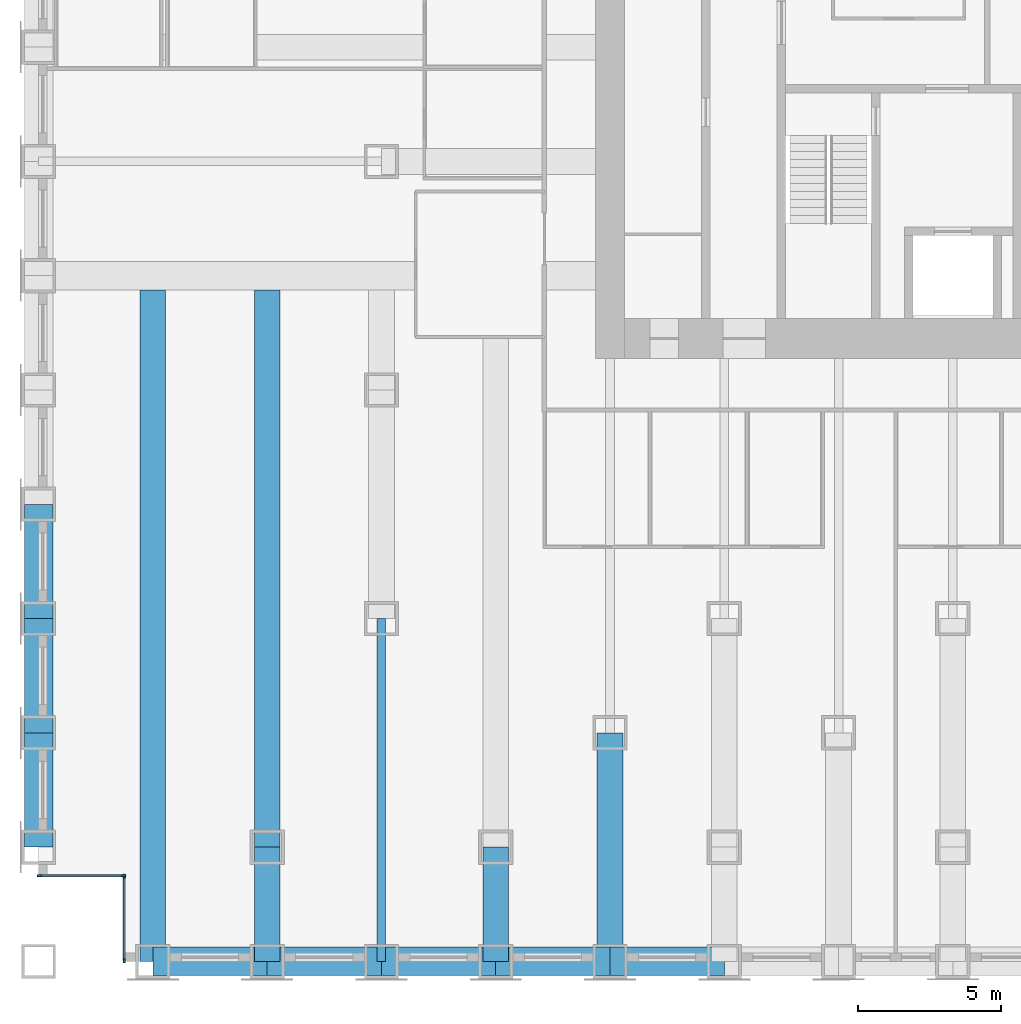
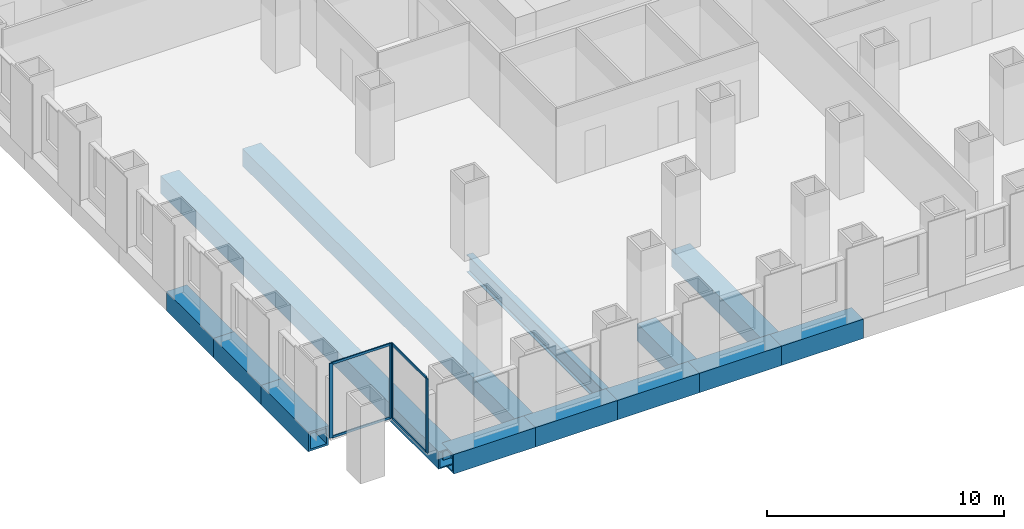
# One storey, part 2 of 15: 14 beams, 8 members, 2 elements without a shape of their own.
"""IFC4 building model written with IfcOpenShell, lengths in metres."""

from ifc_helpers import new_model, si_unit, direction, frame, origin, origin_2d, place, context, subcontext, project, spatial, rectangle, hollow_rectangle, i_section, extrude, material, material_profile, profile_set, type_object, element, aggregate, save


model = new_model("IFC4")

# Units and contexts
model_context = context("Model", 3, precision=1e-05, world=origin(), true_north=direction((0.0, 1.0)))
body_context = subcontext(model_context, "Body", "Model", "MODEL_VIEW")
ifc_project = project(units=[si_unit("LENGTHUNIT", "METRE"), si_unit("AREAUNIT", "SQUARE_METRE"), si_unit("VOLUMEUNIT", "CUBIC_METRE"), si_unit("PLANEANGLEUNIT", "RADIAN"), si_unit("MASSUNIT", "GRAM", prefix="KILO")], contexts=[model_context])

# Site, building, storey
site_placement = place(None, origin())
site = spatial("IfcSite", under=ifc_project, at=site_placement, CompositionType="ELEMENT")
building_placement = place(site_placement, origin())
building = spatial("IfcBuilding", under=site, at=building_placement, Name="Rimbunsela Tower", CompositionType="ELEMENT")
storey_placement = place(building_placement, frame((0.0, 0.0, 19.0)))
storey = spatial("IfcBuildingStorey", under=building, at=storey_placement, Name="L04", CompositionType="ELEMENT", Elevation=19.0)

# Beams
ifc_material_1 = material(Name="Steel BJ 55 (fy 410 MPa)", Category="steel")
ifc_material_profile_1 = material_profile(ifc_material_1, hollow_rectangle(XDim=1.0, YDim=1.0, WallThickness=0.10009765625, at=origin_2d()), Name="BOX 1000x1000x100")
ifc_profile_set_1 = profile_set([ifc_material_profile_1], Name="Steel BJ 55 (fy 410 MPa)")
beam_type_1 = type_object("IfcBeamType", Name="Beam BOX 1000x1000x100", PredefinedType="BEAM", material=ifc_profile_set_1)
for number, where, z_axis, x_axis, name in (
    (1, (-2.0, 0.0, -0.64990234375), (0.0, 1.0, 0.0), (-1.0, 0.0, 0.0), "Beam B3 L04"),
    (2, (-2.0, 4.0, -0.64990234375), (0.0, 1.0, 0.0), (-1.0, 0.0, 0.0), "Beam B3 L04"),
    (3, (-2.0, 8.0, -0.64990234375), (0.0, 1.0, 0.0), (-1.0, 0.0, 0.0), "Beam B3 L04"),
    (4, (2.0, -4.0, -0.64990234375), (1.0, 0.0, 0.0), (0.0, 1.0, 0.0), "Beam B3 L04"),
    (5, (6.0, -4.0, -0.64990234375), (1.0, 0.0, 0.0), (0.0, 1.0, 0.0), "Beam B3 L04"),
    (6, (10.0, -4.0, -0.64990234375), (1.0, 0.0, 0.0), (0.0, 1.0, 0.0), "Beam B3 L04"),
    (7, (14.0, -4.0, -0.64990234375), (1.0, 0.0, 0.0), (0.0, 1.0, 0.0), "Beam B3 L04"),
    (8, (18.0, -4.0, -0.64990234375), (1.0, 0.0, 0.0), (0.0, 1.0, 0.0), "Beam B3 L04"),
):
    element("IfcBeam", number, at=place(storey_placement, frame(where, z_axis=z_axis, x_axis=x_axis)), inside=storey, type_object=beam_type_1, Name=name, PredefinedType="BEAM", context=body_context, shape_type="SweptSolid", body=[
        extrude(hollow_rectangle(XDim=1.0, YDim=1.0, WallThickness=0.10009765625, at=origin_2d()), origin(), (0.0, 0.0, 1.0), 4.0),
    ])
ifc_material_2 = material(Name="Steel BJ 55 (fy 410 MPa)", Category="steel")
ifc_material_profile_2 = material_profile(ifc_material_2, hollow_rectangle(XDim=0.89990234375, YDim=0.89990234375, WallThickness=0.06005859375, at=origin_2d()), Name="BOX 900x900x60")
ifc_profile_set_2 = profile_set([ifc_material_profile_2], Name="Steel BJ 55 (fy 410 MPa)")
beam_type_2 = type_object("IfcBeamType", Name="Beam BOX 900x900x60", PredefinedType="BEAM", material=ifc_profile_set_2)
beam_1_placement = place(storey_placement, frame((2.0, -4.0, -0.60009765625), z_axis=(0.0, 1.0, 0.0), x_axis=(-1.0, 0.0, 0.0)))
element("IfcBeam", 9, at=beam_1_placement, inside=storey, type_object=beam_type_2, Name="Beam B1 L04", PredefinedType="BEAM", context=body_context, shape_type="SweptSolid", body=[
    extrude(hollow_rectangle(XDim=0.89990234375, YDim=0.89990234375, WallThickness=0.06005859375, at=origin_2d()), origin(), (0.0, 0.0, 1.0), 23.5),
])
beam_2_placement = place(storey_placement, frame((6.0, -4.0, -0.60009765625), z_axis=(0.0, 1.0, 0.0), x_axis=(-1.0, 0.0, 0.0)))
element("IfcBeam", 10, at=beam_2_placement, inside=storey, type_object=beam_type_2, Name="Beam B1 L04", PredefinedType="BEAM", context=body_context, shape_type="SweptSolid", body=[
    extrude(hollow_rectangle(XDim=0.89990234375, YDim=0.89990234375, WallThickness=0.06005859375, at=origin_2d()), origin(), (0.0, 0.0, 1.0), 4.0),
])
beam_3_placement = place(storey_placement, frame((6.0, 0.0, -0.60009765625), z_axis=(0.0, 1.0, 0.0), x_axis=(-1.0, 0.0, 0.0)))
element("IfcBeam", 11, at=beam_3_placement, inside=storey, type_object=beam_type_2, Name="Beam B1 L04", PredefinedType="BEAM", context=body_context, shape_type="SweptSolid", body=[
    extrude(hollow_rectangle(XDim=0.89990234375, YDim=0.89990234375, WallThickness=0.06005859375, at=origin_2d()), origin(), (0.0, 0.0, 1.0), 19.5),
])
beam_4_placement = place(storey_placement, frame((14.0, -4.0, -0.60009765625), z_axis=(0.0, 1.0, 0.0), x_axis=(-1.0, 0.0, 0.0)))
element("IfcBeam", 12, at=beam_4_placement, inside=storey, type_object=beam_type_2, Name="Beam B1 L04", PredefinedType="BEAM", context=body_context, shape_type="SweptSolid", body=[
    extrude(hollow_rectangle(XDim=0.89990234375, YDim=0.89990234375, WallThickness=0.06005859375, at=origin_2d()), origin(), (0.0, 0.0, 1.0), 4.0),
])
beam_5_placement = place(storey_placement, frame((18.0, -4.0, -0.60009765625), z_axis=(0.0, 1.0, 0.0), x_axis=(-1.0, 0.0, 0.0)))
element("IfcBeam", 13, at=beam_5_placement, inside=storey, type_object=beam_type_2, Name="Beam B1 L04", PredefinedType="BEAM", context=body_context, shape_type="SweptSolid", body=[
    extrude(hollow_rectangle(XDim=0.89990234375, YDim=0.89990234375, WallThickness=0.06005859375, at=origin_2d()), origin(), (0.0, 0.0, 1.0), 8.0),
])
ifc_material_3 = material(Name="Steel BJ 55 (fy 410 MPa)", Category="steel")
ifc_material_profile_3 = material_profile(ifc_material_3, i_section(OverallWidth=0.300048828125, OverallDepth=0.89990234375, WebThickness=0.01611328125, FlangeThickness=0.028076171875, FilletRadius=0.028076171875, at=origin_2d()), Name="H 900x300x16x28")
ifc_profile_set_3 = profile_set([ifc_material_profile_3], Name="Steel BJ 55 (fy 410 MPa)")
beam_type_3 = type_object("IfcBeamType", Name="Beam H 900x300x16x28", PredefinedType="BEAM", material=ifc_profile_set_3)
beam_6_placement = place(storey_placement, frame((10.0, -4.0, -0.60009765625), z_axis=(0.0, 1.0, 0.0), x_axis=(-1.0, 0.0, 0.0)))
element("IfcBeam", 14, at=beam_6_placement, inside=storey, type_object=beam_type_3, Name="Beam B2 L04", PredefinedType="BEAM", context=body_context, shape_type="SweptSolid", body=[
    extrude(i_section(OverallWidth=0.300048828125, OverallDepth=0.89990234375, WebThickness=0.01611328125, FlangeThickness=0.028076171875, FilletRadius=0.028076171875, at=origin_2d()), origin(), (0.0, 0.0, 1.0), 12.0),
])

# Curtain wall, members
ifc_material_4 = material(Name="Aluminium curtain wall", Category="aluminium")
curtain_wall_type = type_object("IfcCurtainWallType", Name="Corner glazing", PredefinedType="USERDEFINED", material=ifc_material_4)
curtain_wall_1_placement = place(storey_placement, origin())
curtain_wall_1 = element("IfcCurtainWall", 15, at=curtain_wall_1_placement, inside=storey, type_object=curtain_wall_type, Name="Corner glazing L04", ObjectType="CORNER GLAZING", PredefinedType="USERDEFINED")
ifc_material_5 = material(Name="Aluminium mullion", Category="aluminium")
ifc_material_profile_4 = material_profile(ifc_material_5, rectangle(XDim=0.06005859375, YDim=0.159912109375, at=origin_2d()), Name="Mullion 60x160")
ifc_profile_set_4 = profile_set([ifc_material_profile_4], Name="Aluminium mullion")
member_type_1 = type_object("IfcMemberType", Name="Curtain wall mullion 60x160", PredefinedType="MULLION", material=ifc_profile_set_4)
member_1_placement = place(storey_placement, frame((-1.969970703125, -1.0, 0.0), z_axis=(0.0, 0.0, 1.0), x_axis=(0.0, 1.0, 0.0)))
member_1 = element("IfcMember", 16, at=member_1_placement, type_object=member_type_1, Name="CW5 mullion 1", PredefinedType="MULLION", context=body_context, shape_type="SweptSolid", body=[
    extrude(rectangle(XDim=0.06005859375, YDim=0.159912109375, at=origin_2d()), origin(), (0.0, 0.0, 1.0), 3.85009765625),
])
member_2_placement = place(storey_placement, frame((0.969970703125, -1.0, 0.0), z_axis=(0.0, 0.0, 1.0), x_axis=(0.0, 1.0, 0.0)))
member_2 = element("IfcMember", 17, at=member_2_placement, type_object=member_type_1, Name="CW5 mullion 2", PredefinedType="MULLION", context=body_context, shape_type="SweptSolid", body=[
    extrude(rectangle(XDim=0.06005859375, YDim=0.159912109375, at=origin_2d()), origin(), (0.0, 0.0, 1.0), 3.85009765625),
])

curtain_wall_2_placement = place(storey_placement, origin())
curtain_wall_2 = element("IfcCurtainWall", 18, at=curtain_wall_2_placement, inside=storey, type_object=curtain_wall_type, Name="Corner glazing L04", ObjectType="CORNER GLAZING", PredefinedType="USERDEFINED")
member_3_placement = place(storey_placement, frame((1.0, -1.030029296875, 0.0), z_axis=(0.0, 0.0, 1.0), x_axis=(1.0, 0.0, 0.0)))
member_3 = element("IfcMember", 19, at=member_3_placement, type_object=member_type_1, Name="CW5 mullion 1", PredefinedType="MULLION", context=body_context, shape_type="SweptSolid", body=[
    extrude(rectangle(XDim=0.06005859375, YDim=0.159912109375, at=origin_2d()), origin(), (0.0, 0.0, 1.0), 3.85009765625),
])
member_4_placement = place(storey_placement, frame((1.0, -3.969970703125, 0.0), z_axis=(0.0, 0.0, 1.0), x_axis=(1.0, 0.0, 0.0)))
member_4 = element("IfcMember", 20, at=member_4_placement, type_object=member_type_1, Name="CW5 mullion 2", PredefinedType="MULLION", context=body_context, shape_type="SweptSolid", body=[
    extrude(rectangle(XDim=0.06005859375, YDim=0.159912109375, at=origin_2d()), origin(), (0.0, 0.0, 1.0), 3.85009765625),
])

# Member
ifc_material_6 = material(Name="Aluminium transom", Category="aluminium")
ifc_material_profile_5 = material_profile(ifc_material_6, rectangle(XDim=0.06005859375, YDim=0.1201171875, at=origin_2d()), Name="Transom 60x120")
ifc_profile_set_5 = profile_set([ifc_material_profile_5], Name="Aluminium transom")
member_type_2 = type_object("IfcMemberType", Name="Curtain wall transom 60x120", PredefinedType="USERDEFINED", material=ifc_profile_set_5)
member_5_placement = place(storey_placement, frame((-1.93994140625, -1.0, 0.030029296875), z_axis=(1.0, 0.0, 0.0), x_axis=(0.0, 1.0, 0.0)))
member_5 = element("IfcMember", 21, at=member_5_placement, type_object=member_type_2, Name="CW5 transom 1.1", ObjectType="TRANSOM", PredefinedType="USERDEFINED", context=body_context, shape_type="SweptSolid", body=[
    extrude(rectangle(XDim=0.06005859375, YDim=0.1201171875, at=origin_2d()), origin(), (0.0, 0.0, 1.0), 2.8798828125),
])

member_6_placement = place(storey_placement, frame((-1.93994140625, -1.0, 3.820068359375), z_axis=(1.0, 0.0, 0.0), x_axis=(0.0, 1.0, 0.0)))
member_6 = element("IfcMember", 22, at=member_6_placement, type_object=member_type_2, Name="CW5 transom 1.2", ObjectType="TRANSOM", PredefinedType="USERDEFINED", context=body_context, shape_type="SweptSolid", body=[
    extrude(rectangle(XDim=0.06005859375, YDim=0.1201171875, at=origin_2d()), origin(), (0.0, 0.0, 1.0), 2.8798828125),
])

aggregate(curtain_wall_1, [member_1, member_2, member_5, member_6])

member_7_placement = place(storey_placement, frame((1.0, -1.06005859375, 0.030029296875), z_axis=(0.0, -1.0, 0.0), x_axis=(1.0, 0.0, 0.0)))
member_7 = element("IfcMember", 23, at=member_7_placement, type_object=member_type_2, Name="CW5 transom 1.1", ObjectType="TRANSOM", PredefinedType="USERDEFINED", context=body_context, shape_type="SweptSolid", body=[
    extrude(rectangle(XDim=0.06005859375, YDim=0.1201171875, at=origin_2d()), origin(), (0.0, 0.0, 1.0), 2.8798828125),
])

member_8_placement = place(storey_placement, frame((1.0, -1.06005859375, 3.820068359375), z_axis=(0.0, -1.0, 0.0), x_axis=(1.0, 0.0, 0.0)))
member_8 = element("IfcMember", 24, at=member_8_placement, type_object=member_type_2, Name="CW5 transom 1.2", ObjectType="TRANSOM", PredefinedType="USERDEFINED", context=body_context, shape_type="SweptSolid", body=[
    extrude(rectangle(XDim=0.06005859375, YDim=0.1201171875, at=origin_2d()), origin(), (0.0, 0.0, 1.0), 2.8798828125),
])

aggregate(curtain_wall_2, [member_3, member_4, member_7, member_8])

save(model, "model.ifc")
